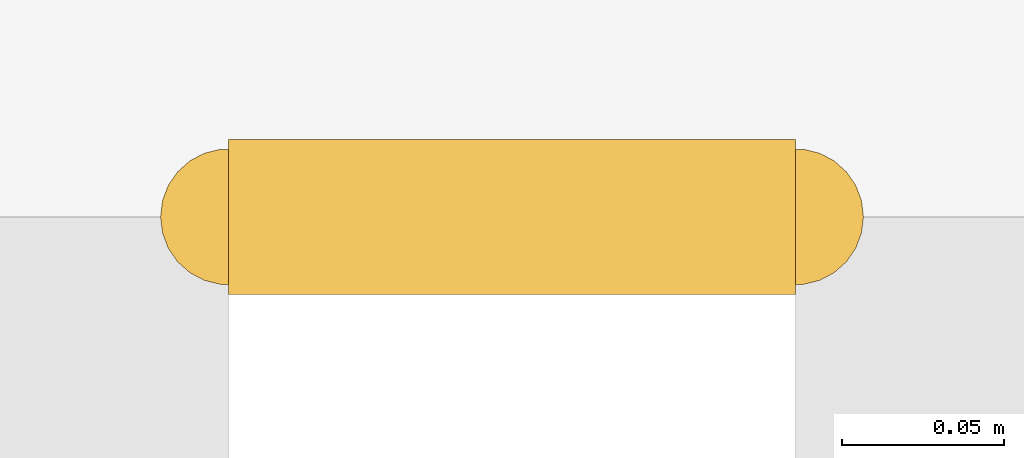
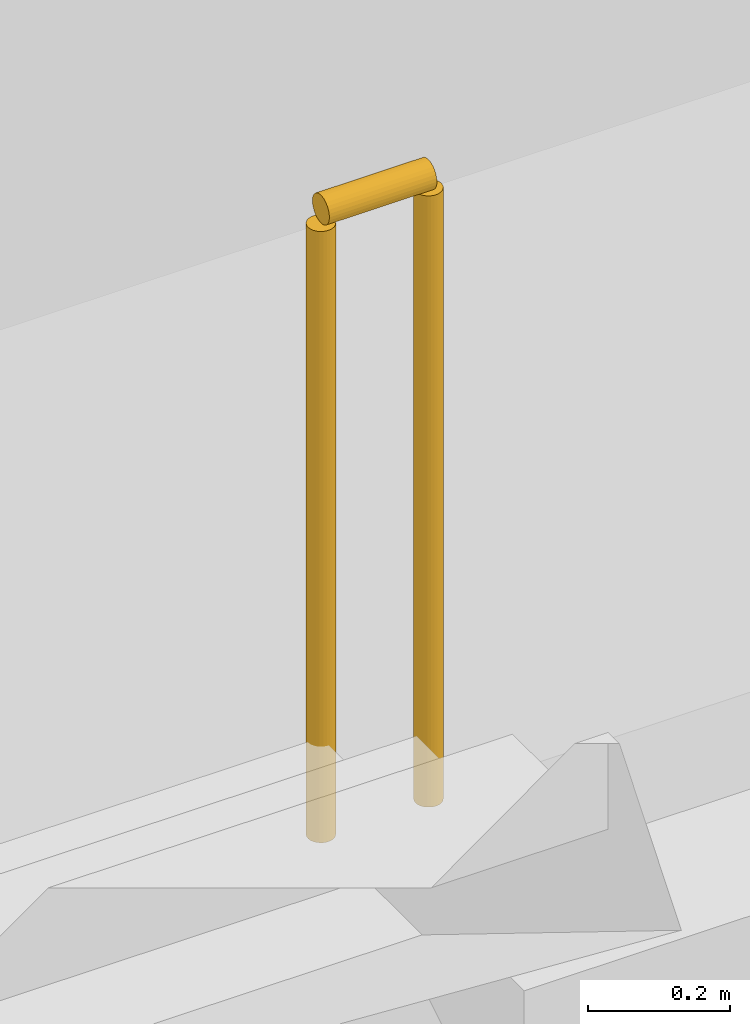
# One storey, part 26 of 28: 1 railing.
"""IFC4 building model written with IfcOpenShell, lengths in metres."""

from ifc_helpers import new_model, si_unit, direction, frame, origin, origin_2d, place, context, subcontext, project, spatial, circle, extrude, material, type_object, element, save


model = new_model("IFC4")

# Units and contexts
model_context = context("Model", 3, precision=1e-05, world=origin(), true_north=direction((0.0, 1.0)))
body_context = subcontext(model_context, "Body", "Model", "MODEL_VIEW")
ifc_project = project(units=[si_unit("LENGTHUNIT", "METRE"), si_unit("AREAUNIT", "SQUARE_METRE"), si_unit("VOLUMEUNIT", "CUBIC_METRE"), si_unit("PLANEANGLEUNIT", "RADIAN"), si_unit("MASSUNIT", "GRAM", prefix="KILO")], contexts=[model_context])

# Site, building, storey
site_placement = place(None, origin())
site = spatial("IfcSite", under=ifc_project, at=site_placement, CompositionType="ELEMENT")
building_placement = place(site_placement, origin())
building = spatial("IfcBuilding", under=site, at=building_placement, Name="Isbrekke Arena Tower", CompositionType="ELEMENT")
storey_placement = place(building_placement, origin())
storey = spatial("IfcBuildingStorey", under=building, at=storey_placement, Name="L00", CompositionType="ELEMENT", Elevation=0.0)

# Railing
ifc_material = material(Name="Steel stair guard, vertical bars, steel handrail", Category="steel")
railing_type = type_object("IfcRailingType", Name="GR3 STAIR WELL GUARD 1100", PredefinedType="GUARDRAIL", material=ifc_material)
railing_placement = place(storey_placement, frame((11.824951171875, 22.0, 3.0)))
element("IfcRailing", 1, at=railing_placement, inside=storey, type_object=railing_type, Name="GR3 stair well guard ST2 L00", PredefinedType="GUARDRAIL", context=body_context, shape_type="SweptSolid", body=[
    extrude(circle(Radius=0.02392578125, at=origin_2d()), frame((0.0, 0.0, 1.076171875), z_axis=(1.0, 0.0, 0.0), x_axis=(0.0, 1.0, 0.0)), (0.0, 0.0, 1.0), 0.175048828125),
    extrude(circle(Radius=0.02099609375, at=origin_2d()), origin(), (0.0, 0.0, 1.0), 1.052001953125),
    extrude(circle(Radius=0.02099609375, at=origin_2d()), frame((0.175048828125, 0.0, 0.0)), (0.0, 0.0, 1.0), 1.052001953125),
])

save(model, "model.ifc")
